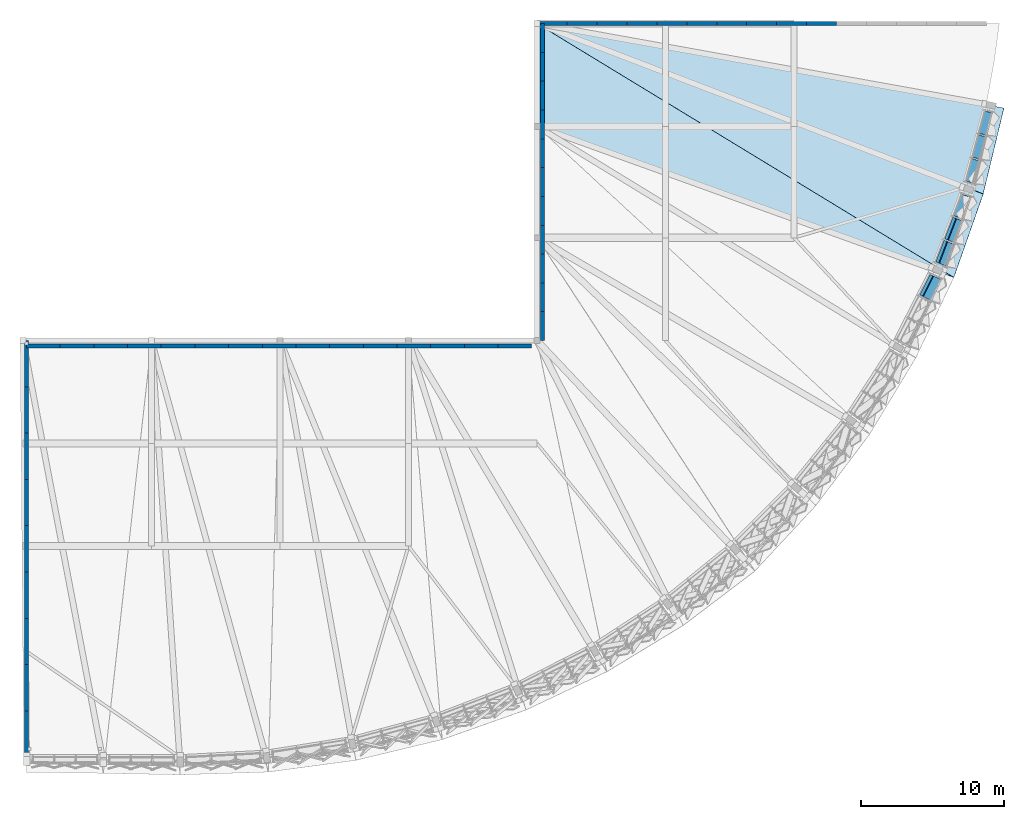
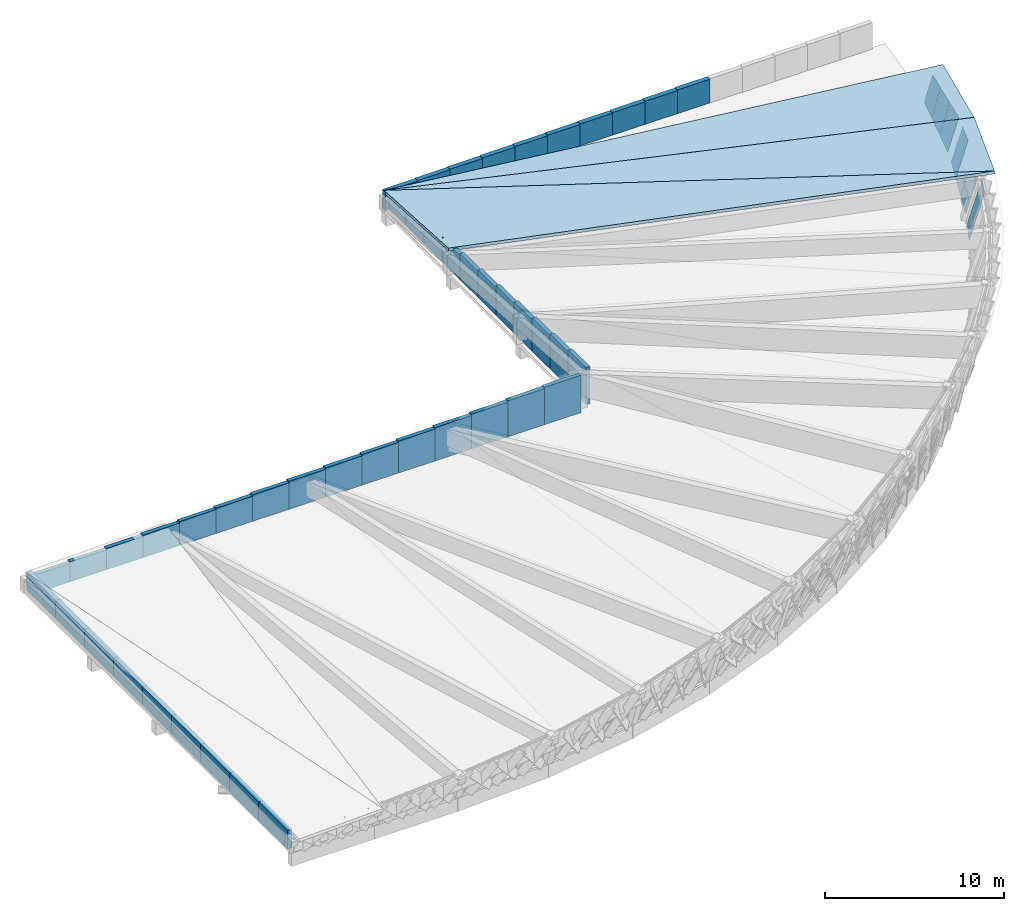
# One storey, part 10 of 11: 45 walls, 10 plates, 3 slabs, 3 elements without a shape of their own.
"""IFC4 building model written with IfcOpenShell, lengths in metres."""

from ifc_helpers import new_model, si_unit, direction, frame, frame_2d, origin, place, context, subcontext, project, spatial, polyline, rectangle, outline, extrude, material, layer, layer_set, type_object, element, aggregate, save


model = new_model("IFC4")

# Units and contexts
model_context = context("Model", 3, precision=1e-05, world=origin(), true_north=direction((0.0, 1.0)))
body_context = subcontext(model_context, "Body", "Model", "MODEL_VIEW")
ifc_project = project(units=[si_unit("LENGTHUNIT", "METRE"), si_unit("AREAUNIT", "SQUARE_METRE"), si_unit("VOLUMEUNIT", "CUBIC_METRE"), si_unit("PLANEANGLEUNIT", "RADIAN"), si_unit("MASSUNIT", "GRAM", prefix="KILO")], contexts=[model_context])

# Site, building, storey
site_placement = place(None, origin())
site = spatial("IfcSite", under=ifc_project, at=site_placement, CompositionType="ELEMENT")
building_placement = place(site_placement, origin())
building = spatial("IfcBuilding", under=site, at=building_placement, Name="Chiffa Square Polytechnic", CompositionType="ELEMENT")
storey_placement = place(building_placement, frame((0.0, 0.0, 30.60009765625)))
storey = spatial("IfcBuildingStorey", under=building, at=storey_placement, Name="ROOF", CompositionType="ELEMENT", Elevation=30.60009765625)

# Curtain wall, plates
ifc_material_1 = material(Name="Aluminium EN AW-6060 T66 and glulam shading", Category="wood")
curtain_wall_type_1 = type_object("IfcCurtainWallType", Name="CW-PROW-LEAN-150", PredefinedType="USERDEFINED", material=ifc_material_1)
curtain_wall_1_placement = place(storey_placement, origin())
curtain_wall_1 = element("IfcCurtainWall", 1, at=curtain_wall_1_placement, inside=storey, type_object=curtain_wall_type_1, Name="Outward-leaning diamond-fin prow curtain wall CW-V1-ROOF-124", ObjectType="CURTAIN WALL", PredefinedType="USERDEFINED")
ifc_material_2 = material(Name="Double glazing", Category="glass")
ifc_layer_1 = layer(ifc_material_2, 0.035888671875, Name="Double glazing")
ifc_layer_set_1 = layer_set([ifc_layer_1], Name="Double glazing")
plate_type_1 = type_object("IfcPlateType", Name="CWP-GLZ-120X145", PredefinedType="CURTAIN_PANEL", material=ifc_layer_set_1)
plate_1_placement = place(storey_placement, frame((178.24560546875, 39.980712890625, -0.7001953125), z_axis=(-0.92963551749, 0.249089896955, 0.271536420864), x_axis=(0.2588206094, 0.965925406832, 2.419971e-05)))
plate_1 = element("IfcPlate", 2, at=plate_1_placement, type_object=plate_type_1, Name="Leaning prow curtain panel CW-V1-ROOF-124-PN01", PredefinedType="CURTAIN_PANEL", context=body_context, shape_type="SweptSolid", body=[
    extrude(outline(polyline([(0.0, 0.0), (1.6040079317254188, -2.7755575615628914e-17), (1.593246386498797, -2.1967553888023295), (-0.03223050762358384, -2.369586904318772), (0.0, 0.0)])), origin(), (0.0, 0.0, -1.0), 0.035888671875),
])
plate_2_placement = place(storey_placement, frame((178.693115234375, 41.650146484375, -0.7001953125), z_axis=(-0.92962024273, 0.24921167468, 0.271476970498), x_axis=(0.258933633269, 0.965895115157, -8.811808e-06)))
plate_2 = element("IfcPlate", 3, at=plate_2_placement, type_object=plate_type_1, Name="Leaning prow curtain panel CW-V1-ROOF-124-PN02", PredefinedType="CURTAIN_PANEL", context=body_context, shape_type="SweptSolid", body=[
    extrude(outline(polyline([(0.0, 0.0), (1.6040079372504685, 1.3877787807814457e-17), (1.613059736433609, -2.0103266121152563), (-0.009225112579400318, -2.1832980420524284), (0.0, 0.0)])), origin(), (0.0, 0.0, -1.0), 0.035888671875),
])
plate_3_placement = place(storey_placement, frame((179.140380859375, 43.319580078125, -0.7001953125), z_axis=(-0.929606387073, 0.249175094635, 0.271557981519), x_axis=(0.258904121858, 0.965903026025, -1.93692e-07)))
plate_3 = element("IfcPlate", 4, at=plate_3_placement, type_object=plate_type_1, Name="Leaning prow curtain panel CW-V1-ROOF-124-PN03", PredefinedType="CURTAIN_PANEL", context=body_context, shape_type="SweptSolid", body=[
    extrude(outline(polyline([(0.0, 0.0), (1.604007938095029, -1.3877787807814457e-17), (1.629617853685804, -1.824163830024338), (0.010651453379186507, -1.9971682583437391), (0.0, 0.0)])), origin(), (0.0, 0.0, -1.0), 0.035888671875),
])
aggregate(curtain_wall_1, [plate_1, plate_2, plate_3])

curtain_wall_type_2 = type_object("IfcCurtainWallType", Name="CW-PROW-LEAN-300", PredefinedType="USERDEFINED", material=ifc_material_1)
curtain_wall_2_placement = place(storey_placement, origin())
curtain_wall_2 = element("IfcCurtainWall", 5, at=curtain_wall_2_placement, inside=storey, type_object=curtain_wall_type_2, Name="Outward-leaning diamond-fin prow curtain wall CW-V1-ROOF-123", ObjectType="CURTAIN WALL", PredefinedType="USERDEFINED")
ifc_layer_2 = layer(ifc_material_2, 0.035888671875, Name="Double glazing")
ifc_layer_set_2 = layer_set([ifc_layer_2], Name="Double glazing")
plate_type_2 = type_object("IfcPlateType", Name="CWP-GLZ-150X125", PredefinedType="CURTAIN_PANEL", material=ifc_layer_set_2)
plate_4_placement = place(storey_placement, frame((176.34228515625, 34.227294921875, 0.1279296875), z_axis=(-0.898401554434, 0.344883934779, 0.271900199563), x_axis=(0.358390779265, 0.93357166249, 1.8259745e-05)))
plate_4 = element("IfcPlate", 6, at=plate_4_placement, type_object=plate_type_2, Name="Leaning prow curtain panel CW-V1-ROOF-123-PN01", PredefinedType="CURTAIN_PANEL", context=body_context, shape_type="SweptSolid", body=[
    extrude(outline(polyline([(0.0, 0.0), (1.6114797773448695, 0.0), (1.6017332025172675, -1.9435546169606013), (-0.02961865373558318, -2.13820297807377), (0.0, 0.0)])), origin(), (0.0, 0.0, -1.0), 0.035888671875),
])
plate_5_placement = place(storey_placement, frame((176.964599609375, 35.848388671875, 0.1279296875), z_axis=(-0.898429051834, 0.344866465758, 0.271831491216), x_axis=(0.358367271086, 0.933580686588, 2.5367507e-05)))
plate_5 = element("IfcPlate", 7, at=plate_5_placement, type_object=plate_type_2, Name="Leaning prow curtain panel CW-V1-ROOF-123-PN02", PredefinedType="CURTAIN_PANEL", context=body_context, shape_type="SweptSolid", body=[
    extrude(outline(polyline([(0.0, 0.0), (1.6114797739617137, -2.7755575615628914e-17), (1.6194866989671417, -1.7334449098879743), (-0.008149252992909809, -1.928366891662464), (0.0, 0.0)])), origin(), (0.0, 0.0, -1.0), 0.035888671875),
])
plate_6_placement = place(storey_placement, frame((177.3671875, 37.54931640625, -0.7001953125), z_axis=(-0.898440438045, 0.344907546535, 0.271741722281), x_axis=(0.358399380848, 0.933568360306, 2.1064297e-05)))
plate_6 = element("IfcPlate", 8, at=plate_6_placement, type_object=plate_type_2, Name="Leaning prow curtain panel CW-V1-ROOF-123-PN03", PredefinedType="CURTAIN_PANEL", context=body_context, shape_type="SweptSolid", body=[
    extrude(outline(polyline([(0.0, 0.0), (1.6039075428839185, 0.0), (1.6374007161639035, -2.3841127466759167), (0.013622109094525645, -2.5787611728935973), (0.0, 0.0)])), origin(), (0.0, 0.0, -1.0), 0.035888671875),
])

# Curtain wall, plate
curtain_wall_3_placement = place(storey_placement, origin())
curtain_wall_3 = element("IfcCurtainWall", 9, at=curtain_wall_3_placement, inside=storey, type_object=curtain_wall_type_1, Name="Outward-leaning diamond-fin prow curtain wall CW-V1-ROOF-122", ObjectType="CURTAIN WALL", PredefinedType="USERDEFINED")
ifc_layer_3 = layer(ifc_material_2, 0.035888671875, Name="Double glazing")
ifc_layer_set_3 = layer_set([ifc_layer_3], Name="Double glazing")
plate_type_3 = type_object("IfcPlateType", Name="CWP-GLZ-150X145", PredefinedType="CURTAIN_PANEL", material=ifc_layer_set_3)
plate_7_placement = place(storey_placement, frame((175.211181640625, 31.8935546875, 0.1279296875), z_axis=(-0.857451236598, 0.43688112825, 0.271868086826), x_axis=(0.453976640858, 0.891013585372, -1.5405901e-05)))
plate_7 = element("IfcPlate", 10, at=plate_7_placement, type_object=plate_type_3, Name="Leaning prow curtain panel CW-V1-ROOF-122-PN03", PredefinedType="CURTAIN_PANEL", context=body_context, shape_type="SweptSolid", body=[
    extrude(outline(polyline([(0.0, 0.0), (1.6113683866174022, 2.7755575615628914e-17), (1.6412137634814796, -2.153907119664272), (0.011826721984029856, -2.3667063612277985), (0.0, 0.0)])), origin(), (0.0, 0.0, -1.0), 0.035888671875),
])

# Plate
ifc_material_3 = material(Name="Aluminium insulated spandrel", Category="aluminium")
ifc_layer_4 = layer(ifc_material_3, 0.068115234375, Name="Aluminium insulated spandrel")
ifc_layer_set_4 = layer_set([ifc_layer_4], Name="Aluminium insulated spandrel")
plate_type_4 = type_object("IfcPlateType", Name="CWP-SPN-140X076", PredefinedType="SHEET", material=ifc_layer_set_4)
plate_8_placement = place(storey_placement, frame((176.128173828125, 34.322265625, -0.7001953125), z_axis=(-0.898410118424, 0.344924008375, 0.271821057978), x_axis=(0.358422953692, 0.93355931042, 1.3938825e-05)))
plate_8 = element("IfcPlate", 11, at=plate_8_placement, type_object=plate_type_4, Name="Leaning prow curtain panel CW-V1-ROOF-123-SP01", PredefinedType="SHEET", context=body_context, shape_type="SweptSolid", body=[
    extrude(outline(polyline([(0.0, 0.0), (1.603907545593826, -5.551115123125783e-17), (1.6000198320122885, -0.8024068683267616), (-0.011144522719400935, -0.8024534360277217), (0.0, 0.0)])), origin(), (0.0, 0.0, -1.0), 0.068115234375),
])

plate_9_placement = place(storey_placement, frame((176.747802734375, 35.935791015625, -0.7001953125), z_axis=(-0.898472228902, 0.344829738547, 0.271735358954), x_axis=(0.358314084475, 0.933601101553, 6.735852e-06)))
plate_9 = element("IfcPlate", 12, at=plate_9_placement, type_object=plate_type_4, Name="Leaning prow curtain panel CW-V1-ROOF-123-SP02", PredefinedType="SHEET", context=body_context, shape_type="SweptSolid", body=[
    extrude(outline(polyline([(0.0, 0.0), (1.6038200465528143, -2.7755575615628914e-17), (1.607473583002685, -0.8023986123741031), (-0.003375362619145136, -0.8024211125444808), (0.0, 0.0)])), origin(), (0.0, 0.0, -1.0), 0.068115234375),
])

aggregate(curtain_wall_2, [plate_8, plate_4, plate_9, plate_5, plate_6])

ifc_layer_5 = layer(ifc_material_3, 0.06591796875, Name="Aluminium insulated spandrel")
ifc_layer_set_5 = layer_set([ifc_layer_5], Name="Aluminium insulated spandrel")
plate_type_5 = type_object("IfcPlateType", Name="CWP-SPN-144X078", PredefinedType="SHEET", material=ifc_layer_set_5)
plate_10_placement = place(storey_placement, frame((175.00048828125, 31.995849609375, -0.7001953125), z_axis=(-0.857456936309, 0.436914214563, 0.271796930609), x_axis=(0.454010989258, 0.890996083685, 2.2140859e-05)))
plate_10 = element("IfcPlate", 13, at=plate_10_placement, type_object=plate_type_5, Name="Leaning prow curtain panel CW-V1-ROOF-122-SP03", PredefinedType="SHEET", context=body_context, shape_type="SweptSolid", body=[
    extrude(outline(polyline([(0.0, 0.0), (1.603836635441253, 2.7755575615628914e-17), (1.6149033903790082, -0.8023872072717291), (0.004080907758331914, -0.802461166819502), (0.0, 0.0)])), origin(), (0.0, 0.0, -1.0), 0.06591796875),
])

aggregate(curtain_wall_3, [plate_10, plate_7])

# Slabs
ifc_material_4 = material(Name="CLT C24", Category="wood")
ifc_layer_6 = layer(ifc_material_4, 0.199951171875, Name="CLT C24")
ifc_layer_set_6 = layer_set([ifc_layer_6], Name="CLT C24")
slab_type = type_object("IfcSlabType", Name="SLB-ROOF-200", PredefinedType="ROOF", material=ifc_layer_set_6)
slab_1_placement = place(storey_placement, frame((148.2060546875, 43.79931640625, 0.9501953125), z_axis=(-0.02932823813, 0.057510007581, 0.997914051147), x_axis=(0.939119600032, -0.340331085731, 0.047213651845)))
element("IfcSlab", 14, at=slab_1_placement, inside=storey, type_object=slab_type, Name="Swept faculty prow glulam roof panel SLB-ROOF-V1-SW20", PredefinedType="ROOF", context=body_context, shape_type="SweptSolid", body=[
    extrude(outline(polyline([(0.0, 0.0), (31.07756123287959, 8.743006318923108e-16), (-2.470246693666165, 6.772262722379071), (0.0, 0.0)])), origin(), (0.0, 0.0, -1.0), 0.199951171875),
])
slab_2_placement = place(storey_placement, frame((148.205322265625, 50.997314453125, 0.53515625), z_axis=(-0.001154707299, 0.103442141669, 0.994634802316), x_axis=(0.852811143144, -0.519315197873, 0.054998903511)))
element("IfcSlab", 15, at=slab_2_placement, inside=storey, type_object=slab_type, Name="Swept faculty prow glulam roof panel SLB-ROOF-V1-SW21", PredefinedType="ROOF", context=body_context, shape_type="SweptSolid", body=[
    extrude(outline(polyline([(0.0, 0.0), (34.22475901495173, 9.71445146547012e-16), (32.91301243879062, 6.089783342938953), (0.0, 0.0)])), origin(), (0.0, 0.0, -1.0), 0.199951171875),
])
slab_3_placement = place(storey_placement, frame((148.211669921875, 50.996826171875, 0.535400390625), z_axis=(-0.006100319156, 0.090602871681, 0.995868417889), x_axis=(0.933604620596, -0.356270078466, 0.038131923527)))
element("IfcSlab", 16, at=slab_3_placement, inside=storey, type_object=slab_type, Name="Swept faculty prow glulam roof panel SLB-ROOF-V1-SW22", PredefinedType="ROOF", context=body_context, shape_type="SweptSolid", body=[
    extrude(outline(polyline([(0.0, 0.0), (33.45959994225436, -2.3869795029440866e-15), (32.655004820607545, 6.150866614653721), (0.0, 0.0)])), origin(), (0.0, 0.0, -1.0), 0.199951171875),
])

# Walls
ifc_material_5 = material(Name="Precast concrete C40/50", Category="concrete")
ifc_layer_7 = layer(ifc_material_5, 0.260009765625, Name="Precast concrete C40/50")
ifc_layer_set_7 = layer_set([ifc_layer_7], Name="Precast concrete C40/50")
wall_type_1 = type_object("IfcWallType", Name="WL-EXT-PC260", PredefinedType="SOLIDWALL", material=ifc_layer_set_7)
wall_1_placement = place(storey_placement, frame((112.449951171875, 28.419921875, -0.75), z_axis=(0.0, 0.0, 1.0), x_axis=(1.0, 0.0, 0.0)))
element("IfcWall", 17, at=wall_1_placement, inside=storey, type_object=wall_type_1, Name="Stepped gable infill wall WE-V1-ROOF-SPINE-S-01", PredefinedType="SOLIDWALL", context=body_context, shape_type="SweptSolid", body=[
    extrude(rectangle(XDim=2.358154296875, YDim=0.260009765625, at=frame_2d((1.17919921875, 0.0))), origin(), (0.0, 0.0, 1.0), 1.263916015625),
])
wall_2_placement = place(storey_placement, frame((114.80810546875, 28.419921875, -0.75), z_axis=(0.0, 0.0, 1.0), x_axis=(1.0, 0.0, 0.0)))
element("IfcWall", 18, at=wall_2_placement, inside=storey, type_object=wall_type_1, Name="Stepped gable infill wall WE-V1-ROOF-SPINE-S-02", PredefinedType="SOLIDWALL", context=body_context, shape_type="SweptSolid", body=[
    extrude(rectangle(XDim=2.35791015625, YDim=0.260009765625, at=frame_2d((1.178955078125, 0.0))), origin(), (0.0, 0.0, 1.0), 1.35595703125),
])
wall_3_placement = place(storey_placement, frame((117.166015625, 28.419921875, -0.75), z_axis=(0.0, 0.0, 1.0), x_axis=(1.0, 0.0, 0.0)))
element("IfcWall", 19, at=wall_3_placement, inside=storey, type_object=wall_type_1, Name="Stepped gable infill wall WE-V1-ROOF-SPINE-S-03", PredefinedType="SOLIDWALL", context=body_context, shape_type="SweptSolid", body=[
    extrude(rectangle(XDim=2.35791015625, YDim=0.260009765625, at=frame_2d((1.178955078125, 0.0))), origin(), (0.0, 0.0, 1.0), 1.447998046875),
])
wall_4_placement = place(storey_placement, frame((119.52392578125, 28.419921875, -0.75), z_axis=(0.0, 0.0, 1.0), x_axis=(1.0, 0.0, 0.0)))
element("IfcWall", 20, at=wall_4_placement, inside=storey, type_object=wall_type_1, Name="Stepped gable infill wall WE-V1-ROOF-SPINE-S-04", PredefinedType="SOLIDWALL", context=body_context, shape_type="SweptSolid", body=[
    extrude(rectangle(XDim=2.358154296875, YDim=0.260009765625, at=frame_2d((1.17919921875, 0.0))), origin(), (0.0, 0.0, 1.0), 1.539794921875),
])
wall_5_placement = place(storey_placement, frame((121.882080078125, 28.419921875, -0.75), z_axis=(0.0, 0.0, 1.0), x_axis=(1.0, 0.0, 0.0)))
element("IfcWall", 21, at=wall_5_placement, inside=storey, type_object=wall_type_1, Name="Stepped gable infill wall WE-V1-ROOF-SPINE-S-05", PredefinedType="SOLIDWALL", context=body_context, shape_type="SweptSolid", body=[
    extrude(rectangle(XDim=2.35791015625, YDim=0.260009765625, at=frame_2d((1.178955078125, 0.0))), origin(), (0.0, 0.0, 1.0), 1.6318359375),
])
wall_6_placement = place(storey_placement, frame((124.239990234375, 28.419921875, -0.75), z_axis=(0.0, 0.0, 1.0), x_axis=(1.0, 0.0, 0.0)))
element("IfcWall", 22, at=wall_6_placement, inside=storey, type_object=wall_type_1, Name="Stepped gable infill wall WE-V1-ROOF-SPINE-S-06", PredefinedType="SOLIDWALL", context=body_context, shape_type="SweptSolid", body=[
    extrude(rectangle(XDim=2.35791015625, YDim=0.260009765625, at=frame_2d((1.178955078125, 0.0))), origin(), (0.0, 0.0, 1.0), 1.723876953125),
])
wall_7_placement = place(storey_placement, frame((126.597900390625, 28.419921875, -0.75), z_axis=(0.0, 0.0, 1.0), x_axis=(1.0, 0.0, 0.0)))
element("IfcWall", 23, at=wall_7_placement, inside=storey, type_object=wall_type_1, Name="Stepped gable infill wall WE-V1-ROOF-SPINE-S-07", PredefinedType="SOLIDWALL", context=body_context, shape_type="SweptSolid", body=[
    extrude(rectangle(XDim=2.358154296875, YDim=0.260009765625, at=frame_2d((1.17919921875, 0.0))), origin(), (0.0, 0.0, 1.0), 1.81591796875),
])
wall_8_placement = place(storey_placement, frame((128.9560546875, 28.419921875, -0.75), z_axis=(0.0, 0.0, 1.0), x_axis=(1.0, 0.0, 0.0)))
element("IfcWall", 24, at=wall_8_placement, inside=storey, type_object=wall_type_1, Name="Stepped gable infill wall WE-V1-ROOF-SPINE-S-08", PredefinedType="SOLIDWALL", context=body_context, shape_type="SweptSolid", body=[
    extrude(rectangle(XDim=2.35791015625, YDim=0.260009765625, at=frame_2d((1.178955078125, 0.0))), origin(), (0.0, 0.0, 1.0), 1.907958984375),
])
wall_9_placement = place(storey_placement, frame((131.31396484375, 28.419921875, -0.75), z_axis=(0.0, 0.0, 1.0), x_axis=(1.0, 0.0, 0.0)))
element("IfcWall", 25, at=wall_9_placement, inside=storey, type_object=wall_type_1, Name="Stepped gable infill wall WE-V1-ROOF-SPINE-S-09", PredefinedType="SOLIDWALL", context=body_context, shape_type="SweptSolid", body=[
    extrude(rectangle(XDim=2.358154296875, YDim=0.260009765625, at=frame_2d((1.17919921875, 0.0))), origin(), (0.0, 0.0, 1.0), 2.0),
])
wall_10_placement = place(storey_placement, frame((133.672119140625, 28.419921875, -0.75), z_axis=(0.0, 0.0, 1.0), x_axis=(1.0, 0.0, 0.0)))
element("IfcWall", 26, at=wall_10_placement, inside=storey, type_object=wall_type_1, Name="Stepped gable infill wall WE-V1-ROOF-SPINE-S-10", PredefinedType="SOLIDWALL", context=body_context, shape_type="SweptSolid", body=[
    extrude(rectangle(XDim=2.35791015625, YDim=0.260009765625, at=frame_2d((1.178955078125, 0.0))), origin(), (0.0, 0.0, 1.0), 2.091796875),
])
wall_11_placement = place(storey_placement, frame((136.030029296875, 28.419921875, -0.75), z_axis=(0.0, 0.0, 1.0), x_axis=(1.0, 0.0, 0.0)))
element("IfcWall", 27, at=wall_11_placement, inside=storey, type_object=wall_type_1, Name="Stepped gable infill wall WE-V1-ROOF-SPINE-S-11", PredefinedType="SOLIDWALL", context=body_context, shape_type="SweptSolid", body=[
    extrude(rectangle(XDim=2.35791015625, YDim=0.260009765625, at=frame_2d((1.178955078125, 0.0))), origin(), (0.0, 0.0, 1.0), 2.183837890625),
])
wall_12_placement = place(storey_placement, frame((138.387939453125, 28.419921875, -0.75), z_axis=(0.0, 0.0, 1.0), x_axis=(1.0, 0.0, 0.0)))
element("IfcWall", 28, at=wall_12_placement, inside=storey, type_object=wall_type_1, Name="Stepped gable infill wall WE-V1-ROOF-SPINE-S-12", PredefinedType="SOLIDWALL", context=body_context, shape_type="SweptSolid", body=[
    extrude(rectangle(XDim=2.358154296875, YDim=0.260009765625, at=frame_2d((1.17919921875, 0.0))), origin(), (0.0, 0.0, 1.0), 2.27587890625),
])
wall_13_placement = place(storey_placement, frame((140.74609375, 28.419921875, -0.75), z_axis=(0.0, 0.0, 1.0), x_axis=(1.0, 0.0, 0.0)))
element("IfcWall", 29, at=wall_13_placement, inside=storey, type_object=wall_type_1, Name="Stepped gable infill wall WE-V1-ROOF-SPINE-S-13", PredefinedType="SOLIDWALL", context=body_context, shape_type="SweptSolid", body=[
    extrude(rectangle(XDim=2.35791015625, YDim=0.260009765625, at=frame_2d((1.178955078125, 0.0))), origin(), (0.0, 0.0, 1.0), 2.367919921875),
])
wall_14_placement = place(storey_placement, frame((143.10400390625, 28.419921875, -0.75), z_axis=(0.0, 0.0, 1.0), x_axis=(1.0, 0.0, 0.0)))
element("IfcWall", 30, at=wall_14_placement, inside=storey, type_object=wall_type_1, Name="Stepped gable infill wall WE-V1-ROOF-SPINE-S-14", PredefinedType="SOLIDWALL", context=body_context, shape_type="SweptSolid", body=[
    extrude(rectangle(XDim=2.35791015625, YDim=0.260009765625, at=frame_2d((1.178955078125, 0.0))), origin(), (0.0, 0.0, 1.0), 2.4599609375),
])
wall_15_placement = place(storey_placement, frame((145.4619140625, 28.419921875, -0.75), z_axis=(0.0, 0.0, 1.0), x_axis=(1.0, 0.0, 0.0)))
element("IfcWall", 31, at=wall_15_placement, inside=storey, type_object=wall_type_1, Name="Stepped gable infill wall WE-V1-ROOF-SPINE-S-15", PredefinedType="SOLIDWALL", context=body_context, shape_type="SweptSolid", body=[
    extrude(rectangle(XDim=2.358154296875, YDim=0.260009765625, at=frame_2d((1.17919921875, 0.0))), origin(), (0.0, 0.0, 1.0), 2.552001953125),
])
wall_16_placement = place(storey_placement, frame((148.580078125, 28.800048828125, -0.75), z_axis=(0.0, 0.0, 1.0), x_axis=(0.0, 1.0, 0.0)))
element("IfcWall", 32, at=wall_16_placement, inside=storey, type_object=wall_type_1, Name="Stepped gable infill wall WE-V1-ROOF-SPINE-W-01", PredefinedType="SOLIDWALL", context=body_context, shape_type="SweptSolid", body=[
    extrude(rectangle(XDim=2.01806640625, YDim=0.260009765625, at=frame_2d((1.009033203125, 0.0))), origin(), (0.0, 0.0, 1.0), 2.52294921875),
])
wall_17_placement = place(storey_placement, frame((148.580078125, 30.818115234375, -0.75), z_axis=(0.0, 0.0, 1.0), x_axis=(0.0, 1.0, 0.0)))
element("IfcWall", 33, at=wall_17_placement, inside=storey, type_object=wall_type_1, Name="Stepped gable infill wall WE-V1-ROOF-SPINE-W-02", PredefinedType="SOLIDWALL", context=body_context, shape_type="SweptSolid", body=[
    extrude(rectangle(XDim=2.017822265625, YDim=0.260009765625, at=frame_2d((1.0087890625, 0.0))), origin(), (0.0, 0.0, 1.0), 2.39794921875),
])
wall_18_placement = place(storey_placement, frame((148.580078125, 32.8359375, -0.75), z_axis=(0.0, 0.0, 1.0), x_axis=(0.0, 1.0, 0.0)))
element("IfcWall", 34, at=wall_18_placement, inside=storey, type_object=wall_type_1, Name="Stepped gable infill wall WE-V1-ROOF-SPINE-W-03", PredefinedType="SOLIDWALL", context=body_context, shape_type="SweptSolid", body=[
    extrude(rectangle(XDim=2.01904296875, YDim=0.260009765625, at=frame_2d((1.009521484375, 0.0))), origin(), (0.0, 0.0, 1.0), 2.27197265625),
])
wall_19_placement = place(storey_placement, frame((148.580078125, 34.85498046875, -0.75), z_axis=(0.0, 0.0, 1.0), x_axis=(0.0, 1.0, 0.0)))
element("IfcWall", 35, at=wall_19_placement, inside=storey, type_object=wall_type_1, Name="Stepped gable infill wall WE-V1-ROOF-SPINE-W-04", PredefinedType="SOLIDWALL", context=body_context, shape_type="SweptSolid", body=[
    extrude(rectangle(XDim=2.01806640625, YDim=0.260009765625, at=frame_2d((1.009033203125, 0.0))), origin(), (0.0, 0.0, 1.0), 2.14697265625),
])
wall_20_placement = place(storey_placement, frame((148.580078125, 36.873046875, -0.75), z_axis=(0.0, 0.0, 1.0), x_axis=(0.0, 1.0, 0.0)))
element("IfcWall", 36, at=wall_20_placement, inside=storey, type_object=wall_type_1, Name="Stepped gable infill wall WE-V1-ROOF-SPINE-W-05", PredefinedType="SOLIDWALL", context=body_context, shape_type="SweptSolid", body=[
    extrude(rectangle(XDim=2.01806640625, YDim=0.260009765625, at=frame_2d((1.009033203125, 0.0))), origin(), (0.0, 0.0, 1.0), 2.02197265625),
])
wall_21_placement = place(storey_placement, frame((148.580078125, 38.89111328125, -0.75), z_axis=(0.0, 0.0, 1.0), x_axis=(0.0, 1.0, 0.0)))
element("IfcWall", 37, at=wall_21_placement, inside=storey, type_object=wall_type_1, Name="Stepped gable infill wall WE-V1-ROOF-SPINE-W-06", PredefinedType="SOLIDWALL", context=body_context, shape_type="SweptSolid", body=[
    extrude(rectangle(XDim=2.017822265625, YDim=0.260009765625, at=frame_2d((1.0087890625, 0.0))), origin(), (0.0, 0.0, 1.0), 1.89599609375),
])
wall_22_placement = place(storey_placement, frame((148.580078125, 40.908935546875, -0.75), z_axis=(0.0, 0.0, 1.0), x_axis=(0.0, 1.0, 0.0)))
element("IfcWall", 38, at=wall_22_placement, inside=storey, type_object=wall_type_1, Name="Stepped gable infill wall WE-V1-ROOF-SPINE-W-07", PredefinedType="SOLIDWALL", context=body_context, shape_type="SweptSolid", body=[
    extrude(rectangle(XDim=2.01806640625, YDim=0.260009765625, at=frame_2d((1.009033203125, 0.0))), origin(), (0.0, 0.0, 1.0), 1.77099609375),
])
wall_23_placement = place(storey_placement, frame((148.580078125, 42.927001953125, -0.75), z_axis=(0.0, 0.0, 1.0), x_axis=(0.0, 1.0, 0.0)))
element("IfcWall", 39, at=wall_23_placement, inside=storey, type_object=wall_type_1, Name="Stepped gable infill wall WE-V1-ROOF-SPINE-W-08", PredefinedType="SOLIDWALL", context=body_context, shape_type="SweptSolid", body=[
    extrude(rectangle(XDim=2.01806640625, YDim=0.260009765625, at=frame_2d((1.009033203125, 0.0))), origin(), (0.0, 0.0, 1.0), 1.64501953125),
])
wall_24_placement = place(storey_placement, frame((148.580078125, 44.945068359375, -0.75), z_axis=(0.0, 0.0, 1.0), x_axis=(0.0, 1.0, 0.0)))
element("IfcWall", 40, at=wall_24_placement, inside=storey, type_object=wall_type_1, Name="Stepped gable infill wall WE-V1-ROOF-SPINE-W-09", PredefinedType="SOLIDWALL", context=body_context, shape_type="SweptSolid", body=[
    extrude(rectangle(XDim=2.01904296875, YDim=0.260009765625, at=frame_2d((1.009521484375, 0.0))), origin(), (0.0, 0.0, 1.0), 1.52001953125),
])
wall_25_placement = place(storey_placement, frame((148.580078125, 46.964111328125, -0.75), z_axis=(0.0, 0.0, 1.0), x_axis=(0.0, 1.0, 0.0)))
element("IfcWall", 41, at=wall_25_placement, inside=storey, type_object=wall_type_1, Name="Stepped gable infill wall WE-V1-ROOF-SPINE-W-10", PredefinedType="SOLIDWALL", context=body_context, shape_type="SweptSolid", body=[
    extrude(rectangle(XDim=2.017822265625, YDim=0.260009765625, at=frame_2d((1.0087890625, 0.0))), origin(), (0.0, 0.0, 1.0), 1.393798828125),
])
wall_26_placement = place(storey_placement, frame((148.580078125, 48.98193359375, -0.75), z_axis=(0.0, 0.0, 1.0), x_axis=(0.0, 1.0, 0.0)))
element("IfcWall", 42, at=wall_26_placement, inside=storey, type_object=wall_type_1, Name="Stepped gable infill wall WE-V1-ROOF-SPINE-W-11", PredefinedType="SOLIDWALL", context=body_context, shape_type="SweptSolid", body=[
    extrude(rectangle(XDim=2.01806640625, YDim=0.260009765625, at=frame_2d((1.009033203125, 0.0))), origin(), (0.0, 0.0, 1.0), 1.268798828125),
])
ifc_layer_8 = layer(ifc_material_5, 0.300048828125, Name="Precast concrete C40/50")
ifc_layer_set_8 = layer_set([ifc_layer_8], Name="Precast concrete C40/50")
wall_type_2 = type_object("IfcWallType", Name="WL-EXT-PC300", PredefinedType="SOLIDWALL", material=ifc_layer_set_8)
for number, where, z_axis, x_axis, name in (
    (43, (112.449951171875, -0.3798828125, -0.75), (0.0, 0.0, 1.0), (0.0, 1.0, 0.0), "Stepped gable infill wall WE-V1-ROOF-CHEEK-W-01"),
    (44, (112.449951171875, 2.862060546875, -0.75), (0.0, 0.0, 1.0), (0.0, 1.0, 0.0), "Stepped gable infill wall WE-V1-ROOF-CHEEK-W-02"),
):
    element("IfcWall", number, at=place(storey_placement, frame(where, z_axis=z_axis, x_axis=x_axis)), inside=storey, type_object=wall_type_2, Name=name, PredefinedType="SOLIDWALL", context=body_context, shape_type="SweptSolid", body=[
        extrude(rectangle(XDim=3.241943359375, YDim=0.300048828125, at=frame_2d((1.62109375, 0.0))), origin(), (0.0, 0.0, 1.0), 1.264892578125),
    ])
wall_27_placement = place(storey_placement, frame((112.449951171875, 6.10400390625, -0.75), z_axis=(0.0, 0.0, 1.0), x_axis=(0.0, 1.0, 0.0)))
element("IfcWall", 45, at=wall_27_placement, inside=storey, type_object=wall_type_2, Name="Stepped gable infill wall WE-V1-ROOF-CHEEK-W-03", PredefinedType="SOLIDWALL", context=body_context, shape_type="SweptSolid", body=[
    extrude(rectangle(XDim=3.242919921875, YDim=0.300048828125, at=frame_2d((1.62158203125, 0.0))), origin(), (0.0, 0.0, 1.0), 1.264892578125),
])
wall_28_placement = place(storey_placement, frame((112.449951171875, 9.346923828125, -0.75), z_axis=(0.0, 0.0, 1.0), x_axis=(0.0, 1.0, 0.0)))
element("IfcWall", 46, at=wall_28_placement, inside=storey, type_object=wall_type_2, Name="Stepped gable infill wall WE-V1-ROOF-CHEEK-W-04", PredefinedType="SOLIDWALL", context=body_context, shape_type="SweptSolid", body=[
    extrude(rectangle(XDim=3.2421875, YDim=0.300048828125, at=frame_2d((1.62109375, 0.0))), origin(), (0.0, 0.0, 1.0), 1.264892578125),
])
for number, where, z_axis, x_axis, name in (
    (47, (112.449951171875, 12.589111328125, -0.75), (0.0, 0.0, 1.0), (0.0, 1.0, 0.0), "Stepped gable infill wall WE-V1-ROOF-CHEEK-W-05"),
    (48, (112.449951171875, 15.8310546875, -0.75), (0.0, 0.0, 1.0), (0.0, 1.0, 0.0), "Stepped gable infill wall WE-V1-ROOF-CHEEK-W-06"),
):
    element("IfcWall", number, at=place(storey_placement, frame(where, z_axis=z_axis, x_axis=x_axis)), inside=storey, type_object=wall_type_2, Name=name, PredefinedType="SOLIDWALL", context=body_context, shape_type="SweptSolid", body=[
        extrude(rectangle(XDim=3.241943359375, YDim=0.300048828125, at=frame_2d((1.62109375, 0.0))), origin(), (0.0, 0.0, 1.0), 1.264892578125),
    ])
wall_29_placement = place(storey_placement, frame((112.449951171875, 19.072998046875, -0.75), z_axis=(0.0, 0.0, 1.0), x_axis=(0.0, 1.0, 0.0)))
element("IfcWall", 49, at=wall_29_placement, inside=storey, type_object=wall_type_2, Name="Stepped gable infill wall WE-V1-ROOF-CHEEK-W-07", PredefinedType="SOLIDWALL", context=body_context, shape_type="SweptSolid", body=[
    extrude(rectangle(XDim=3.242919921875, YDim=0.300048828125, at=frame_2d((1.62158203125, 0.0))), origin(), (0.0, 0.0, 1.0), 1.264892578125),
])
wall_30_placement = place(storey_placement, frame((112.449951171875, 22.31591796875, -0.75), z_axis=(0.0, 0.0, 1.0), x_axis=(0.0, 1.0, 0.0)))
element("IfcWall", 50, at=wall_30_placement, inside=storey, type_object=wall_type_2, Name="Stepped gable infill wall WE-V1-ROOF-CHEEK-W-08", PredefinedType="SOLIDWALL", context=body_context, shape_type="SweptSolid", body=[
    extrude(rectangle(XDim=3.2421875, YDim=0.300048828125, at=frame_2d((1.62109375, 0.0))), origin(), (0.0, 0.0, 1.0), 1.264892578125),
])
wall_31_placement = place(storey_placement, frame((112.449951171875, 25.55810546875, -0.75), z_axis=(0.0, 0.0, 1.0), x_axis=(0.0, 1.0, 0.0)))
element("IfcWall", 51, at=wall_31_placement, inside=storey, type_object=wall_type_2, Name="Stepped gable infill wall WE-V1-ROOF-CHEEK-W-09", PredefinedType="SOLIDWALL", context=body_context, shape_type="SweptSolid", body=[
    extrude(rectangle(XDim=3.241943359375, YDim=0.300048828125, at=frame_2d((1.62109375, 0.0))), origin(), (0.0, 0.0, 1.0), 1.264892578125),
])
wall_32_placement = place(storey_placement, frame((148.199951171875, 51.0, -0.75), z_axis=(0.0, 0.0, 1.0), x_axis=(1.0, 0.0, 0.0)))
element("IfcWall", 52, at=wall_32_placement, inside=storey, type_object=wall_type_2, Name="Stepped gable infill wall WE-V1-ROOF-CHEEK-N-01", PredefinedType="SOLIDWALL", context=body_context, shape_type="SweptSolid", body=[
    extrude(rectangle(XDim=2.09814453125, YDim=0.300048828125, at=frame_2d((1.049072265625, 0.0))), origin(), (0.0, 0.0, 1.0), 1.27099609375),
])
wall_33_placement = place(storey_placement, frame((150.298095703125, 51.0, -0.75), z_axis=(0.0, 0.0, 1.0), x_axis=(1.0, 0.0, 0.0)))
element("IfcWall", 53, at=wall_33_placement, inside=storey, type_object=wall_type_2, Name="Stepped gable infill wall WE-V1-ROOF-CHEEK-N-02", PredefinedType="SOLIDWALL", context=body_context, shape_type="SweptSolid", body=[
    extrude(rectangle(XDim=2.097900390625, YDim=0.300048828125, at=frame_2d((1.048828125, 0.0))), origin(), (0.0, 0.0, 1.0), 1.308837890625),
])
wall_34_placement = place(storey_placement, frame((152.39599609375, 51.0, -0.75), z_axis=(0.0, 0.0, 1.0), x_axis=(1.0, 0.0, 0.0)))
element("IfcWall", 54, at=wall_34_placement, inside=storey, type_object=wall_type_2, Name="Stepped gable infill wall WE-V1-ROOF-CHEEK-N-03", PredefinedType="SOLIDWALL", context=body_context, shape_type="SweptSolid", body=[
    extrude(rectangle(XDim=2.097900390625, YDim=0.300048828125, at=frame_2d((1.048828125, 0.0))), origin(), (0.0, 0.0, 1.0), 1.347900390625),
])
wall_35_placement = place(storey_placement, frame((154.493896484375, 51.0, -0.75), z_axis=(0.0, 0.0, 1.0), x_axis=(1.0, 0.0, 0.0)))
element("IfcWall", 55, at=wall_35_placement, inside=storey, type_object=wall_type_2, Name="Stepped gable infill wall WE-V1-ROOF-CHEEK-N-04", PredefinedType="SOLIDWALL", context=body_context, shape_type="SweptSolid", body=[
    extrude(rectangle(XDim=2.09814453125, YDim=0.300048828125, at=frame_2d((1.049072265625, 0.0))), origin(), (0.0, 0.0, 1.0), 1.386962890625),
])
wall_36_placement = place(storey_placement, frame((156.592041015625, 51.0, -0.75), z_axis=(0.0, 0.0, 1.0), x_axis=(1.0, 0.0, 0.0)))
element("IfcWall", 56, at=wall_36_placement, inside=storey, type_object=wall_type_2, Name="Stepped gable infill wall WE-V1-ROOF-CHEEK-N-05", PredefinedType="SOLIDWALL", context=body_context, shape_type="SweptSolid", body=[
    extrude(rectangle(XDim=2.097900390625, YDim=0.300048828125, at=frame_2d((1.048828125, 0.0))), origin(), (0.0, 0.0, 1.0), 1.4248046875),
])
wall_37_placement = place(storey_placement, frame((158.68994140625, 51.0, -0.75), z_axis=(0.0, 0.0, 1.0), x_axis=(1.0, 0.0, 0.0)))
element("IfcWall", 57, at=wall_37_placement, inside=storey, type_object=wall_type_2, Name="Stepped gable infill wall WE-V1-ROOF-CHEEK-N-06", PredefinedType="SOLIDWALL", context=body_context, shape_type="SweptSolid", body=[
    extrude(rectangle(XDim=2.09814453125, YDim=0.300048828125, at=frame_2d((1.049072265625, 0.0))), origin(), (0.0, 0.0, 1.0), 1.4638671875),
])
wall_38_placement = place(storey_placement, frame((160.7880859375, 51.0, -0.75), z_axis=(0.0, 0.0, 1.0), x_axis=(1.0, 0.0, 0.0)))
element("IfcWall", 58, at=wall_38_placement, inside=storey, type_object=wall_type_2, Name="Stepped gable infill wall WE-V1-ROOF-CHEEK-N-07", PredefinedType="SOLIDWALL", context=body_context, shape_type="SweptSolid", body=[
    extrude(rectangle(XDim=2.097900390625, YDim=0.300048828125, at=frame_2d((1.048828125, 0.0))), origin(), (0.0, 0.0, 1.0), 1.501953125),
])
wall_39_placement = place(storey_placement, frame((162.885986328125, 51.0, -0.75), z_axis=(0.0, 0.0, 1.0), x_axis=(1.0, 0.0, 0.0)))
element("IfcWall", 59, at=wall_39_placement, inside=storey, type_object=wall_type_2, Name="Stepped gable infill wall WE-V1-ROOF-CHEEK-N-08", PredefinedType="SOLIDWALL", context=body_context, shape_type="SweptSolid", body=[
    extrude(rectangle(XDim=2.096923828125, YDim=0.300048828125, at=frame_2d((1.04833984375, 0.0))), origin(), (0.0, 0.0, 1.0), 1.541015625),
])
wall_40_placement = place(storey_placement, frame((164.98291015625, 51.0, -0.75), z_axis=(0.0, 0.0, 1.0), x_axis=(1.0, 0.0, 0.0)))
element("IfcWall", 60, at=wall_40_placement, inside=storey, type_object=wall_type_2, Name="Stepped gable infill wall WE-V1-ROOF-CHEEK-N-09", PredefinedType="SOLIDWALL", context=body_context, shape_type="SweptSolid", body=[
    extrude(rectangle(XDim=2.09814453125, YDim=0.300048828125, at=frame_2d((1.049072265625, 0.0))), origin(), (0.0, 0.0, 1.0), 1.579833984375),
])
wall_41_placement = place(storey_placement, frame((167.0810546875, 51.0, -0.75), z_axis=(0.0, 0.0, 1.0), x_axis=(1.0, 0.0, 0.0)))
element("IfcWall", 61, at=wall_41_placement, inside=storey, type_object=wall_type_2, Name="Stepped gable infill wall WE-V1-ROOF-CHEEK-N-10", PredefinedType="SOLIDWALL", context=body_context, shape_type="SweptSolid", body=[
    extrude(rectangle(XDim=2.097900390625, YDim=0.300048828125, at=frame_2d((1.048828125, 0.0))), origin(), (0.0, 0.0, 1.0), 1.617919921875),
])

save(model, "model.ifc")
